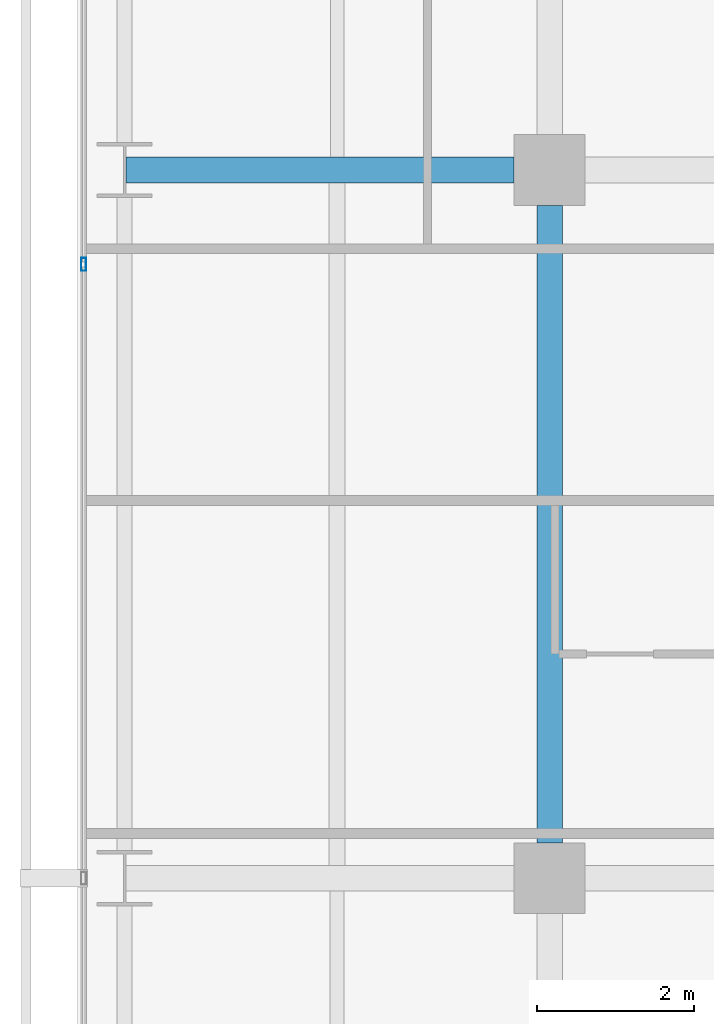
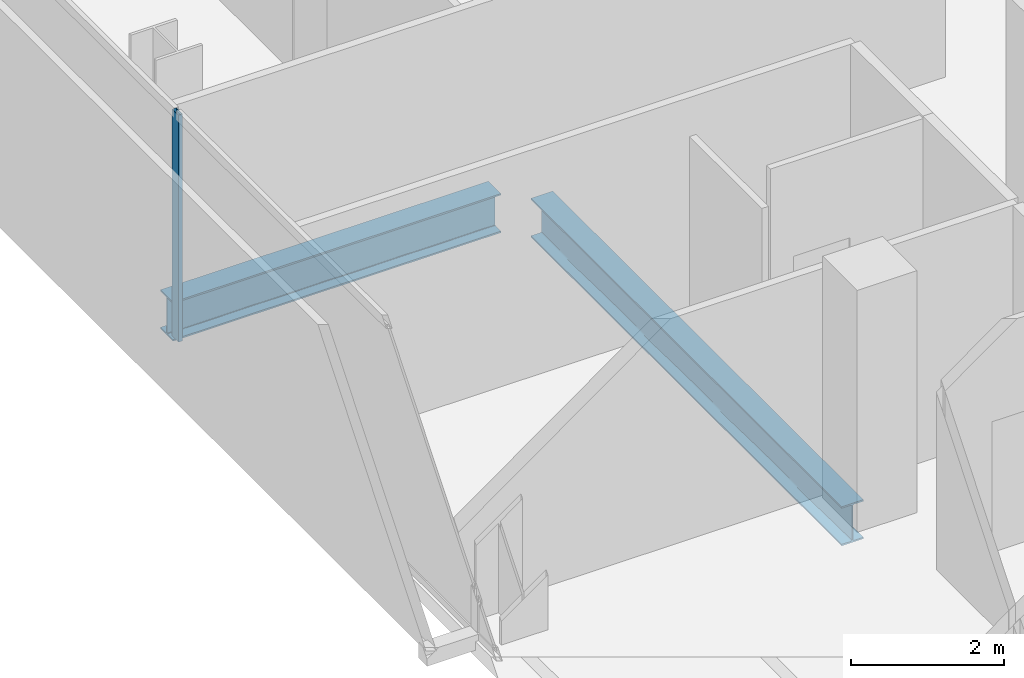
# One storey, part 21 of 40: 2 beams, 1 member, 1 element without a shape of its own.
"""IFC4 building model written with IfcOpenShell, lengths in metres."""

from ifc_helpers import new_model, si_unit, direction, frame, origin, origin_2d, place, context, subcontext, project, spatial, hollow_rectangle, i_section, extrude, material, layer, layer_set, material_profile, profile_set, type_object, element, aggregate, save


model = new_model("IFC4")

# Units and contexts
model_context = context("Model", 3, precision=1e-05, world=origin(), true_north=direction((0.0, 1.0)))
body_context = subcontext(model_context, "Body", "Model", "MODEL_VIEW")
ifc_project = project(units=[si_unit("LENGTHUNIT", "METRE"), si_unit("AREAUNIT", "SQUARE_METRE"), si_unit("VOLUMEUNIT", "CUBIC_METRE"), si_unit("PLANEANGLEUNIT", "RADIAN"), si_unit("MASSUNIT", "GRAM", prefix="KILO")], contexts=[model_context])

# Site, building, storey
site_placement = place(None, origin())
site = spatial("IfcSite", under=ifc_project, at=site_placement, CompositionType="ELEMENT")
building_placement = place(site_placement, origin())
building = spatial("IfcBuilding", under=site, at=building_placement, Name="Maruvema Waterfront Hotel and Observation Tower", CompositionType="ELEMENT")
storey_placement = place(building_placement, frame((0.0, 0.0, 38.5)))
storey = spatial("IfcBuildingStorey", under=building, at=storey_placement, Name="L08", CompositionType="ELEMENT", Elevation=38.5)

# Curtain wall, member
ifc_material_1 = material(Name="Anodised bronze aluminium and solar-control low-E IGU", Category="aluminium")
ifc_layer = layer(ifc_material_1, 0.159912109375, Name="Zone 1 Bronze Inner Thermal Curtain Wall System CW-02")
ifc_layer_set = layer_set([ifc_layer], Name="Anodised bronze aluminium and solar-control low-E IGU")
curtain_wall_type = type_object("IfcCurtainWallType", Name="Zone 1 Bronze Inner Thermal Curtain Wall System CW-02", PredefinedType="USERDEFINED", material=ifc_layer_set)
curtain_wall_placement = place(storey_placement, origin())
curtain_wall = element("IfcCurtainWall", 1, at=curtain_wall_placement, inside=storey, type_object=curtain_wall_type, Name="L08 Curtain Wall CW-L08-W", ObjectType="UNITISED CURTAIN WALL", PredefinedType="USERDEFINED")
ifc_material_2 = material(Name="Anodised architectural bronze aluminium", Category="aluminium")
ifc_material_profile_1 = material_profile(ifc_material_2, hollow_rectangle(XDim=0.06494140625, YDim=0.1650390625, WallThickness=0.00390625, at=origin_2d()), Name="ALU-M65x165")
ifc_profile_set_1 = profile_set([ifc_material_profile_1], Name="Anodised architectural bronze aluminium")
member_type = type_object("IfcMemberType", Name="Curtain Wall Primary Mullion ALU-M65x165", PredefinedType="MULLION", material=ifc_profile_set_1)
member_placement = place(storey_placement, frame((10.8798828125, 34.800048828125, 0.0), z_axis=(0.0, 0.0, 1.0), x_axis=(1.0, 0.0, 0.0)))
member = element("IfcMember", 2, at=member_placement, type_object=member_type, Name="CW-02 mullion 3", PredefinedType="MULLION", context=body_context, shape_type="SweptSolid", body=[
    extrude(hollow_rectangle(XDim=0.06494140625, YDim=0.1650390625, WallThickness=0.00390625, at=origin_2d()), origin(), (0.0, 0.0, 1.0), 3.610107421875),
])
aggregate(curtain_wall, [member])

# Beams
ifc_material_3 = material(Name="Steel ASTM A572 Grade 50", Category="steel")
ifc_material_profile_2 = material_profile(ifc_material_3, i_section(OverallWidth=0.326904296875, OverallDepth=0.6220703125, WebThickness=0.015380859375, FlangeThickness=0.0244140625, FilletRadius=0.01806640625, at=origin_2d()), Name="W610x195.0")
ifc_profile_set_2 = profile_set([ifc_material_profile_2], Name="Steel ASTM A572 Grade 50")
beam_type = type_object("IfcBeamType", Name="Primary Floor Girder W610x195.0", PredefinedType="BEAM", material=ifc_profile_set_2)
beam_1_placement = place(storey_placement, frame((11.4140625, 36.0, -0.551025390625), z_axis=(1.0, 0.0, 0.0), x_axis=(0.0, 1.0, 0.0)))
element("IfcBeam", 3, at=beam_1_placement, inside=storey, type_object=beam_type, Name="L08 Floor Girder EW-25", PredefinedType="BEAM", context=body_context, shape_type="SweptSolid", body=[
    extrude(i_section(OverallWidth=0.326904296875, OverallDepth=0.6220703125, WebThickness=0.015380859375, FlangeThickness=0.0244140625, FilletRadius=0.01806640625, at=origin_2d()), origin(), (0.0, 0.0, 1.0), 4.93603515625),
])
beam_2_placement = place(storey_placement, frame((16.800048828125, 27.449951171875, -0.551025390625), z_axis=(0.0, 1.0, 0.0), x_axis=(-1.0, 0.0, 0.0)))
element("IfcBeam", 4, at=beam_2_placement, inside=storey, type_object=beam_type, Name="L08 Floor Girder NS-08", PredefinedType="BEAM", context=body_context, shape_type="SweptSolid", body=[
    extrude(i_section(OverallWidth=0.326904296875, OverallDepth=0.6220703125, WebThickness=0.015380859375, FlangeThickness=0.0244140625, FilletRadius=0.01806640625, at=origin_2d()), origin(), (0.0, 0.0, 1.0), 8.10009765625),
])

save(model, "model.ifc")
